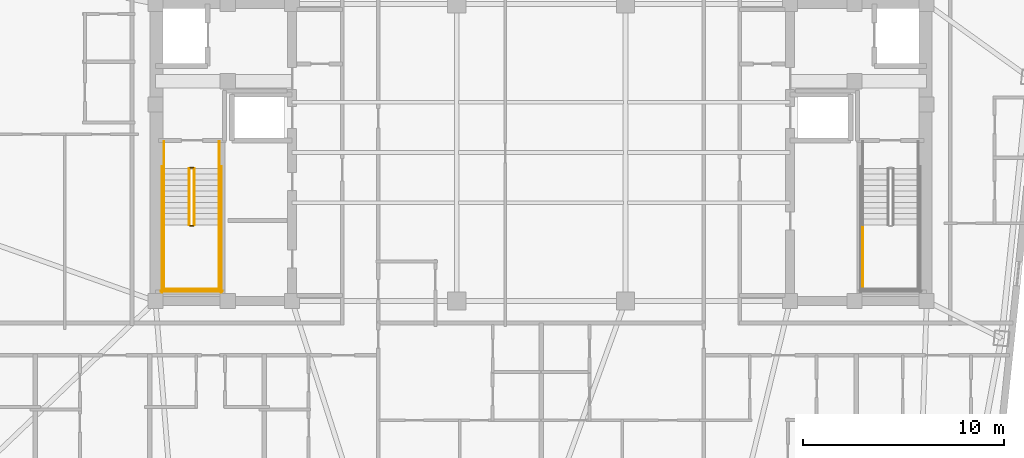
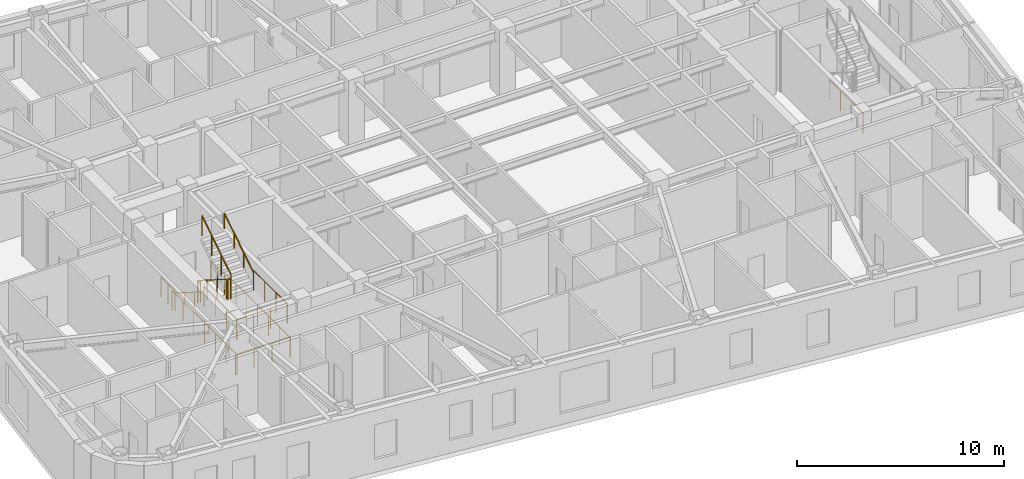
# One storey, part 10 of 11: 15 railings.
"""IFC4 building model written with IfcOpenShell, lengths in metres."""

from ifc_helpers import new_model, si_unit, direction, frame, origin, origin_2d, place, context, subcontext, project, spatial, circle, extrude, material, type_object, element, save


model = new_model("IFC4")

# Units and contexts
model_context = context("Model", 3, precision=1e-05, world=origin(), true_north=direction((0.0, 1.0)))
body_context = subcontext(model_context, "Body", "Model", "MODEL_VIEW")
ifc_project = project(units=[si_unit("LENGTHUNIT", "METRE"), si_unit("AREAUNIT", "SQUARE_METRE"), si_unit("VOLUMEUNIT", "CUBIC_METRE"), si_unit("PLANEANGLEUNIT", "RADIAN"), si_unit("MASSUNIT", "GRAM", prefix="KILO")], contexts=[model_context])

# Site, building, storey
site_placement = place(None, origin())
site = spatial("IfcSite", under=ifc_project, at=site_placement, CompositionType="ELEMENT")
building_placement = place(site_placement, origin())
building = spatial("IfcBuilding", under=site, at=building_placement, Name="Voryun Gate Residences", CompositionType="ELEMENT")
storey_placement = place(building_placement, frame((0.0, 0.0, 299.0)))
storey = spatial("IfcBuildingStorey", under=building, at=storey_placement, Name="L74", CompositionType="ELEMENT", Elevation=299.0)

# Railings
ifc_material_1 = material(Name="Painted steel", Category="steel")
railing_type_1 = type_object("IfcRailingType", Name="RAIL_STAIR_GUARD_1200", PredefinedType="GUARDRAIL", material=ifc_material_1)
railing_1_placement = place(storey_placement, frame((-17.52490234375, -0.800048828125, 0.17724609375)))
element("IfcRailing", 1, at=railing_1_placement, inside=storey, type_object=railing_type_1, Name="L74 ST-W1 stair guard 1", PredefinedType="GUARDRAIL", context=body_context, shape_type="SweptSolid", body=[
    extrude(circle(Radius=0.02392578125, at=origin_2d()), frame((0.0, 0.0, 1.17578125), z_axis=(0.0, -0.844908973607, 0.534910110503), x_axis=(1.0, 0.0, 0.0)), (0.0, 0.0, 1.0), 3.31396484375),
    extrude(circle(Radius=0.02099609375, at=origin_2d()), origin(), (0.0, 0.0, 1.0), 1.15185546875),
    extrude(circle(Radius=0.02099609375, at=origin_2d()), frame((0.0, -0.933349609375, 0.5908203125)), (0.0, 0.0, 1.0), 1.15185546875),
    extrude(circle(Radius=0.02099609375, at=origin_2d()), frame((0.0, -1.86669921875, 1.181884765625)), (0.0, 0.0, 1.0), 1.15185546875),
    extrude(circle(Radius=0.02099609375, at=origin_2d()), frame((0.0, -2.800048828125, 1.772705078125)), (0.0, 0.0, 1.0), 1.15185546875),
])
railing_2_placement = place(storey_placement, frame((-17.47509765625, -3.64990234375, 1.949951171875)))
element("IfcRailing", 2, at=railing_2_placement, inside=storey, type_object=railing_type_1, Name="L74 ST-W1 stair guard 2", PredefinedType="GUARDRAIL", context=body_context, shape_type="SweptSolid", body=[
    extrude(circle(Radius=0.02392578125, at=origin_2d()), frame((0.0, 0.0, 1.17578125), z_axis=(1.0, 0.0, 0.0), x_axis=(0.0, 1.0, 0.0)), (0.0, 0.0, 1.0), 0.150146484375),
    extrude(circle(Radius=0.02099609375, at=origin_2d()), origin(), (0.0, 0.0, 1.0), 1.15185546875),
    extrude(circle(Radius=0.02099609375, at=origin_2d()), frame((0.150146484375, 0.0, 0.0)), (0.0, 0.0, 1.0), 1.15185546875),
])
for number, where, name in (
    (3, (-18.77490234375, -3.60009765625, 1.949951171875), "L74 ST-W1 stair guard 3"),
    (4, (-16.02490234375, -3.60009765625, 1.949951171875), "L74 ST-W1 stair guard 4"),
):
    element("IfcRailing", number, at=place(storey_placement, frame(where)), inside=storey, type_object=railing_type_1, Name=name, PredefinedType="GUARDRAIL", context=body_context, shape_type="SweptSolid", body=[
        extrude(circle(Radius=0.02392578125, at=origin_2d()), frame((0.0, 0.0, 1.17578125), z_axis=(0.0, -1.0, 0.0), x_axis=(1.0, 0.0, 0.0)), (0.0, 0.0, 1.0), 3.25),
        extrude(circle(Radius=0.02099609375, at=origin_2d()), origin(), (0.0, 0.0, 1.0), 1.15185546875),
        extrude(circle(Radius=0.02099609375, at=origin_2d()), frame((0.0, -1.083251953125, 0.0)), (0.0, 0.0, 1.0), 1.15185546875),
        extrude(circle(Radius=0.02099609375, at=origin_2d()), frame((0.0, -2.166748046875, 0.0)), (0.0, 0.0, 1.0), 1.15185546875),
        extrude(circle(Radius=0.02099609375, at=origin_2d()), frame((0.0, -3.25, 0.0)), (0.0, 0.0, 1.0), 1.15185546875),
    ])
railing_3_placement = place(storey_placement, frame((-18.824951171875, -6.800048828125, 1.949951171875)))
element("IfcRailing", 5, at=railing_3_placement, inside=storey, type_object=railing_type_1, Name="L74 ST-W1 stair guard 5", PredefinedType="GUARDRAIL", context=body_context, shape_type="SweptSolid", body=[
    extrude(circle(Radius=0.02392578125, at=origin_2d()), frame((0.0, 0.0, 1.17578125), z_axis=(1.0, 0.0, 0.0), x_axis=(0.0, 1.0, 0.0)), (0.0, 0.0, 1.0), 2.849853515625),
    extrude(circle(Radius=0.02099609375, at=origin_2d()), origin(), (0.0, 0.0, 1.0), 1.15185546875),
    extrude(circle(Radius=0.02099609375, at=origin_2d()), frame((0.949951171875, 0.0, 0.0)), (0.0, 0.0, 1.0), 1.15185546875),
    extrude(circle(Radius=0.02099609375, at=origin_2d()), frame((1.89990234375, 0.0, 0.0)), (0.0, 0.0, 1.0), 1.15185546875),
    extrude(circle(Radius=0.02099609375, at=origin_2d()), frame((2.849853515625, 0.0, 0.0)), (0.0, 0.0, 1.0), 1.15185546875),
])
railing_4_placement = place(storey_placement, frame((-17.27490234375, -3.60009765625, 2.127197265625)))
element("IfcRailing", 6, at=railing_4_placement, inside=storey, type_object=railing_type_1, Name="L74 ST-W1 stair guard 6", PredefinedType="GUARDRAIL", context=body_context, shape_type="SweptSolid", body=[
    extrude(circle(Radius=0.02392578125, at=origin_2d()), frame((0.0, 0.0, 1.17578125), z_axis=(0.0, 0.844908973607, 0.534910110503), x_axis=(-1.0, 0.0, 0.0)), (0.0, 0.0, 1.0), 3.31396484375),
    extrude(circle(Radius=0.02099609375, at=origin_2d()), origin(), (0.0, 0.0, 1.0), 1.15185546875),
    extrude(circle(Radius=0.02099609375, at=origin_2d()), frame((0.0, 0.933349609375, 0.5908203125)), (0.0, 0.0, 1.0), 1.15185546875),
    extrude(circle(Radius=0.02099609375, at=origin_2d()), frame((0.0, 1.86669921875, 1.181884765625)), (0.0, 0.0, 1.0), 1.15185546875),
    extrude(circle(Radius=0.02099609375, at=origin_2d()), frame((0.0, 2.800048828125, 1.772705078125)), (0.0, 0.0, 1.0), 1.15185546875),
])
railing_5_placement = place(storey_placement, frame((-17.47509765625, -0.75, 0.0)))
element("IfcRailing", 7, at=railing_5_placement, inside=storey, type_object=railing_type_1, Name="L74 ST-W1 stair guard 7", PredefinedType="GUARDRAIL", context=body_context, shape_type="SweptSolid", body=[
    extrude(circle(Radius=0.02392578125, at=origin_2d()), frame((0.0, 0.0, 1.17578125), z_axis=(1.0, 0.0, 0.0), x_axis=(0.0, 1.0, 0.0)), (0.0, 0.0, 1.0), 0.150146484375),
    extrude(circle(Radius=0.02099609375, at=origin_2d()), origin(), (0.0, 0.0, 1.0), 1.15185546875),
    extrude(circle(Radius=0.02099609375, at=origin_2d()), frame((0.150146484375, 0.0, 0.0)), (0.0, 0.0, 1.0), 1.15185546875),
])
for number, where, name in (
    (8, (-18.77490234375, 0.550048828125, 0.0), "L74 ST-W1 stair guard 8"),
    (9, (-16.02490234375, 0.550048828125, 0.0), "L74 ST-W1 stair guard 9"),
):
    element("IfcRailing", number, at=place(storey_placement, frame(where)), inside=storey, type_object=railing_type_1, Name=name, PredefinedType="GUARDRAIL", context=body_context, shape_type="SweptSolid", body=[
        extrude(circle(Radius=0.02392578125, at=origin_2d()), frame((0.0, 0.0, 1.17578125), z_axis=(0.0, -1.0, 0.0), x_axis=(1.0, 0.0, 0.0)), (0.0, 0.0, 1.0), 1.35009765625),
        extrude(circle(Radius=0.02099609375, at=origin_2d()), origin(), (0.0, 0.0, 1.0), 1.15185546875),
        extrude(circle(Radius=0.02099609375, at=origin_2d()), frame((0.0, -0.675048828125, 0.0)), (0.0, 0.0, 1.0), 1.15185546875),
        extrude(circle(Radius=0.02099609375, at=origin_2d()), frame((0.0, -1.35009765625, 0.0)), (0.0, 0.0, 1.0), 1.15185546875),
    ])
for number, where, name in (
    (10, (-18.875, -0.699951171875, 0.0), "L74 ST-W1 stair guard 10"),
    (11, (-15.925048828125, -0.699951171875, 0.0), "L74 ST-W1 stair guard 11"),
):
    element("IfcRailing", number, at=place(storey_placement, frame(where)), inside=storey, type_object=railing_type_1, Name=name, PredefinedType="GUARDRAIL", context=body_context, shape_type="SweptSolid", body=[
        extrude(circle(Radius=0.02392578125, at=origin_2d()), frame((0.0, 0.0, 1.17578125), z_axis=(0.0, -1.0, 0.0), x_axis=(1.0, 0.0, 0.0)), (0.0, 0.0, 1.0), 6.25),
        extrude(circle(Radius=0.02099609375, at=origin_2d()), origin(), (0.0, 0.0, 1.0), 1.15185546875),
        extrude(circle(Radius=0.02099609375, at=origin_2d()), frame((0.0, -1.041748046875, 0.0)), (0.0, 0.0, 1.0), 1.15185546875),
        extrude(circle(Radius=0.02099609375, at=origin_2d()), frame((0.0, -2.083251953125, 0.0)), (0.0, 0.0, 1.0), 1.15185546875),
        extrude(circle(Radius=0.02099609375, at=origin_2d()), frame((0.0, -3.125, 0.0)), (0.0, 0.0, 1.0), 1.15185546875),
        extrude(circle(Radius=0.02099609375, at=origin_2d()), frame((0.0, -4.166748046875, 0.0)), (0.0, 0.0, 1.0), 1.15185546875),
        extrude(circle(Radius=0.02099609375, at=origin_2d()), frame((0.0, -5.208251953125, 0.0)), (0.0, 0.0, 1.0), 1.15185546875),
        extrude(circle(Radius=0.02099609375, at=origin_2d()), frame((0.0, -6.25, 0.0)), (0.0, 0.0, 1.0), 1.15185546875),
    ])
railing_6_placement = place(storey_placement, frame((-18.925048828125, -6.89990234375, 0.0)))
element("IfcRailing", 12, at=railing_6_placement, inside=storey, type_object=railing_type_1, Name="L74 ST-W1 stair guard 12", PredefinedType="GUARDRAIL", context=body_context, shape_type="SweptSolid", body=[
    extrude(circle(Radius=0.02392578125, at=origin_2d()), frame((0.0, 0.0, 1.17578125), z_axis=(1.0, 0.0, 0.0), x_axis=(0.0, 1.0, 0.0)), (0.0, 0.0, 1.0), 3.050048828125),
    extrude(circle(Radius=0.02099609375, at=origin_2d()), origin(), (0.0, 0.0, 1.0), 1.15185546875),
    extrude(circle(Radius=0.02099609375, at=origin_2d()), frame((1.0166015625, 0.0, 0.0)), (0.0, 0.0, 1.0), 1.15185546875),
    extrude(circle(Radius=0.02099609375, at=origin_2d()), frame((2.033447265625, 0.0, 0.0)), (0.0, 0.0, 1.0), 1.15185546875),
    extrude(circle(Radius=0.02099609375, at=origin_2d()), frame((3.050048828125, 0.0, 0.0)), (0.0, 0.0, 1.0), 1.15185546875),
])
railing_7_placement = place(storey_placement, frame((16.02490234375, -3.60009765625, 1.949951171875)))
element("IfcRailing", 13, at=railing_7_placement, inside=storey, type_object=railing_type_1, Name="L74 ST-E1 stair guard 3", PredefinedType="GUARDRAIL", context=body_context, shape_type="SweptSolid", body=[
    extrude(circle(Radius=0.02392578125, at=origin_2d()), frame((0.0, 0.0, 1.17578125), z_axis=(0.0, -1.0, 0.0), x_axis=(1.0, 0.0, 0.0)), (0.0, 0.0, 1.0), 3.25),
    extrude(circle(Radius=0.02099609375, at=origin_2d()), origin(), (0.0, 0.0, 1.0), 1.15185546875),
    extrude(circle(Radius=0.02099609375, at=origin_2d()), frame((0.0, -1.083251953125, 0.0)), (0.0, 0.0, 1.0), 1.15185546875),
    extrude(circle(Radius=0.02099609375, at=origin_2d()), frame((0.0, -2.166748046875, 0.0)), (0.0, 0.0, 1.0), 1.15185546875),
    extrude(circle(Radius=0.02099609375, at=origin_2d()), frame((0.0, -3.25, 0.0)), (0.0, 0.0, 1.0), 1.15185546875),
])
ifc_material_2 = material(Name="Painted steel", Category="steel")
railing_type_2 = type_object("IfcRailingType", Name="RAIL_STAIR_HANDRAIL_900", PredefinedType="HANDRAIL", material=ifc_material_2)
railing_8_placement = place(storey_placement, frame((-18.77490234375, -0.800048828125, 0.17724609375)))
element("IfcRailing", 14, at=railing_8_placement, inside=storey, type_object=railing_type_2, Name="L74 ST-W1 stair handrail 1", PredefinedType="HANDRAIL", context=body_context, shape_type="SweptSolid", body=[
    extrude(circle(Radius=0.02392578125, at=origin_2d()), frame((0.0, 0.0, 0.8759765625), z_axis=(0.0, -0.844908973607, 0.534910110503), x_axis=(1.0, 0.0, 0.0)), (0.0, 0.0, 1.0), 3.31396484375),
    extrude(circle(Radius=0.02099609375, at=origin_2d()), origin(), (0.0, 0.0, 1.0), 0.851806640625),
    extrude(circle(Radius=0.02099609375, at=origin_2d()), frame((0.0, -0.933349609375, 0.5908203125)), (0.0, 0.0, 1.0), 0.851806640625),
    extrude(circle(Radius=0.02099609375, at=origin_2d()), frame((0.0, -1.86669921875, 1.181884765625)), (0.0, 0.0, 1.0), 0.851806640625),
    extrude(circle(Radius=0.02099609375, at=origin_2d()), frame((0.0, -2.800048828125, 1.772705078125)), (0.0, 0.0, 1.0), 0.851806640625),
])
railing_9_placement = place(storey_placement, frame((-16.02490234375, -3.60009765625, 2.127197265625)))
element("IfcRailing", 15, at=railing_9_placement, inside=storey, type_object=railing_type_2, Name="L74 ST-W1 stair handrail 2", PredefinedType="HANDRAIL", context=body_context, shape_type="SweptSolid", body=[
    extrude(circle(Radius=0.02392578125, at=origin_2d()), frame((0.0, 0.0, 0.8759765625), z_axis=(0.0, 0.844908973607, 0.534910110503), x_axis=(-1.0, 0.0, 0.0)), (0.0, 0.0, 1.0), 3.31396484375),
    extrude(circle(Radius=0.02099609375, at=origin_2d()), origin(), (0.0, 0.0, 1.0), 0.851806640625),
    extrude(circle(Radius=0.02099609375, at=origin_2d()), frame((0.0, 0.933349609375, 0.5908203125)), (0.0, 0.0, 1.0), 0.851806640625),
    extrude(circle(Radius=0.02099609375, at=origin_2d()), frame((0.0, 1.86669921875, 1.181884765625)), (0.0, 0.0, 1.0), 0.851806640625),
    extrude(circle(Radius=0.02099609375, at=origin_2d()), frame((0.0, 2.800048828125, 1.772705078125)), (0.0, 0.0, 1.0), 0.851806640625),
])

save(model, "model.ifc")
